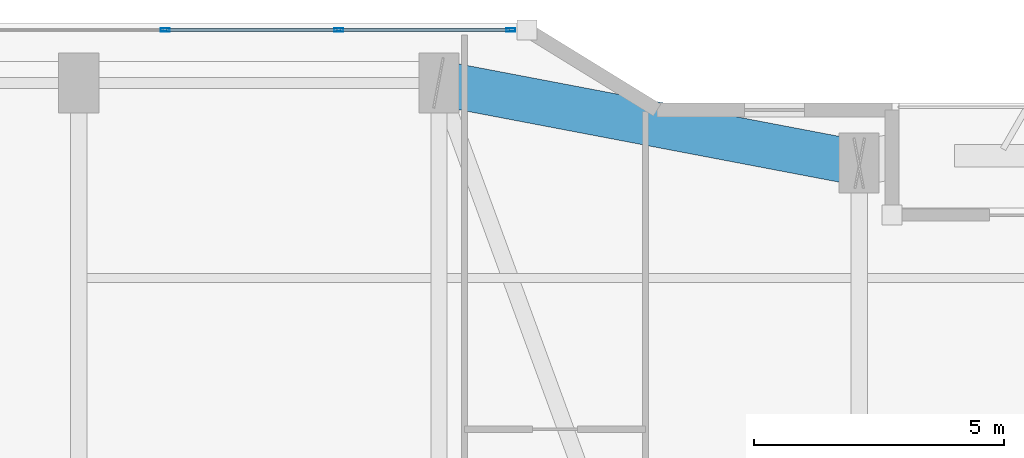
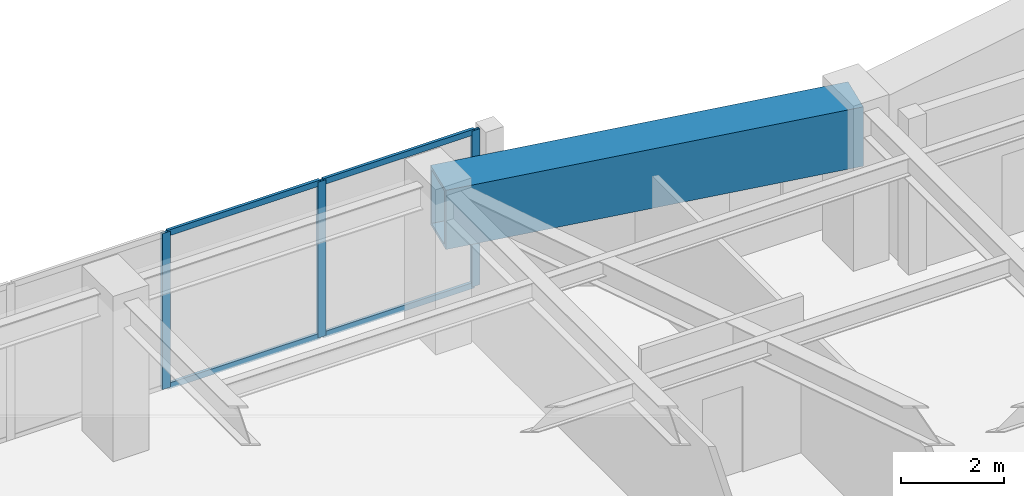
# One storey, part 19 of 30: 7 members, 1 beam, 1 element without a shape of its own.
"""IFC4 building model written with IfcOpenShell, lengths in metres."""

from ifc_helpers import new_model, si_unit, direction, frame, origin, origin_2d, place, context, subcontext, project, spatial, hollow_rectangle, extrude, material, layer, layer_set, material_profile, profile_set, type_object, element, aggregate, save


model = new_model("IFC4")

# Units and contexts
model_context = context("Model", 3, precision=1e-05, world=origin(), true_north=direction((0.0, 1.0)))
body_context = subcontext(model_context, "Body", "Model", "MODEL_VIEW")
ifc_project = project(units=[si_unit("LENGTHUNIT", "METRE"), si_unit("AREAUNIT", "SQUARE_METRE"), si_unit("VOLUMEUNIT", "CUBIC_METRE"), si_unit("PLANEANGLEUNIT", "RADIAN"), si_unit("MASSUNIT", "GRAM", prefix="KILO")], contexts=[model_context])

# Site, building, storey
site_placement = place(None, origin())
site = spatial("IfcSite", under=ifc_project, at=site_placement, CompositionType="ELEMENT")
building_placement = place(site_placement, origin())
building = spatial("IfcBuilding", under=site, at=building_placement, Name="Kiyonajd Concourse Tower", CompositionType="ELEMENT")
storey_placement = place(building_placement, frame((0.0, 0.0, 150.60009765625)))
storey = spatial("IfcBuildingStorey", under=building, at=storey_placement, Name="L38", CompositionType="ELEMENT", Elevation=150.60009765625)

# Beam
ifc_material_1 = material(Name="Steel ASTM A572 Grade 50", Category="steel")
ifc_material_profile_1 = material_profile(ifc_material_1, hollow_rectangle(XDim=0.89990234375, YDim=1.39990234375, WallThickness=0.070068359375, at=origin_2d()), Name="BOX-1400x900x70")
ifc_profile_set_1 = profile_set([ifc_material_profile_1], Name="Steel ASTM A572 Grade 50")
beam_type = type_object("IfcBeamType", Name="BM-XFER-1400", PredefinedType="BEAM", material=ifc_profile_set_1)
beam_placement = place(storey_placement, frame((48.0, 59.60009765625, 2.97998046875), z_axis=(-0.982341315253, 0.187097675953, 0.0), x_axis=(-0.187097675953, -0.982341315253, 0.0)))
element("IfcBeam", 1, at=beam_placement, inside=storey, type_object=beam_type, Name="L38 Perimeter Bundled Tube Spandrel", PredefinedType="BEAM", context=body_context, shape_type="SweptSolid", body=[
    extrude(hollow_rectangle(XDim=0.89990234375, YDim=1.39990234375, WallThickness=0.070068359375, at=origin_2d()), origin(), (0.0, 0.0, 1.0), 8.55078125),
])

# Curtain wall, members
ifc_material_2 = material(Name="Thermally Broken Anodised Aluminium", Category="aluminium")
ifc_layer = layer(ifc_material_2, 0.179931640625)
ifc_layer_set = layer_set([ifc_layer], Name="Thermally Broken Anodised Aluminium")
curtain_wall_type = type_object("IfcCurtainWallType", Name="CW-SYS-03", PredefinedType="NOTDEFINED", material=ifc_layer_set)
curtain_wall_placement = place(storey_placement, origin())
curtain_wall = element("IfcCurtainWall", 2, at=curtain_wall_placement, inside=storey, type_object=curtain_wall_type, Name="L38 Unitised Curtain Wall CW3", PredefinedType="NOTDEFINED")
ifc_material_profile_2 = material_profile(ifc_material_2, hollow_rectangle(XDim=0.06494140625, YDim=0.179931640625, WallThickness=0.00390625, at=origin_2d()), Name="MULL-65x180")
ifc_profile_set_2 = profile_set([ifc_material_profile_2], Name="Thermally Broken Anodised Aluminium")
member_type_1 = type_object("IfcMemberType", Name="MB-CW-MULL1", PredefinedType="MULLION", material=ifc_profile_set_2)
member_1_placement = place(storey_placement, frame((34.12548828125, 62.260009765625, 0.0), z_axis=(0.0, 0.0, 1.0), x_axis=(0.0, 1.0, 0.0)))
member_1 = element("IfcMember", 3, at=member_1_placement, type_object=member_type_1, Name="CW3 mullion 4", PredefinedType="MULLION", context=body_context, shape_type="SweptSolid", body=[
    extrude(hollow_rectangle(XDim=0.06494140625, YDim=0.179931640625, WallThickness=0.00390625, at=origin_2d()), origin(), (0.0, 0.0, 1.0), 3.679931640625),
])
member_2_placement = place(storey_placement, frame((37.597900390625, 62.260009765625, 0.0), z_axis=(0.0, 0.0, 1.0), x_axis=(0.0, 1.0, 0.0)))
member_2 = element("IfcMember", 4, at=member_2_placement, type_object=member_type_1, Name="CW3 mullion 5", PredefinedType="MULLION", context=body_context, shape_type="SweptSolid", body=[
    extrude(hollow_rectangle(XDim=0.06494140625, YDim=0.179931640625, WallThickness=0.00390625, at=origin_2d()), origin(), (0.0, 0.0, 1.0), 3.679931640625),
])
member_3_placement = place(storey_placement, frame((41.037841796875, 62.260009765625, 0.0), z_axis=(0.0, 0.0, 1.0), x_axis=(0.0, 1.0, 0.0)))
member_3 = element("IfcMember", 5, at=member_3_placement, type_object=member_type_1, Name="CW3 mullion 6", PredefinedType="MULLION", context=body_context, shape_type="SweptSolid", body=[
    extrude(hollow_rectangle(XDim=0.06494140625, YDim=0.179931640625, WallThickness=0.00390625, at=origin_2d()), origin(), (0.0, 0.0, 1.0), 3.679931640625),
])
ifc_material_profile_3 = material_profile(ifc_material_2, hollow_rectangle(XDim=0.06494140625, YDim=0.139892578125, WallThickness=0.00390625, at=origin_2d()), Name="TRAN-65x140")
ifc_profile_set_3 = profile_set([ifc_material_profile_3], Name="Thermally Broken Anodised Aluminium")
member_type_2 = type_object("IfcMemberType", Name="MB-CW-TRAN1", PredefinedType="USERDEFINED", material=ifc_profile_set_3)
member_4_placement = place(storey_placement, frame((34.158203125, 62.260009765625, 0.032470703125), z_axis=(1.0, 0.0, 0.0), x_axis=(0.0, 1.0, 0.0)))
member_4 = element("IfcMember", 6, at=member_4_placement, type_object=member_type_2, Name="CW3 transom 4.1", ObjectType="TRANSOM", PredefinedType="USERDEFINED", context=body_context, shape_type="SweptSolid", body=[
    extrude(hollow_rectangle(XDim=0.06494140625, YDim=0.139892578125, WallThickness=0.00390625, at=origin_2d()), origin(), (0.0, 0.0, 1.0), 3.4072265625),
])
member_5_placement = place(storey_placement, frame((34.158203125, 62.260009765625, 3.6474609375), z_axis=(1.0, 0.0, 0.0), x_axis=(0.0, 1.0, 0.0)))
member_5 = element("IfcMember", 7, at=member_5_placement, type_object=member_type_2, Name="CW3 transom 4.2", ObjectType="TRANSOM", PredefinedType="USERDEFINED", context=body_context, shape_type="SweptSolid", body=[
    extrude(hollow_rectangle(XDim=0.06494140625, YDim=0.139892578125, WallThickness=0.00390625, at=origin_2d()), origin(), (0.0, 0.0, 1.0), 3.4072265625),
])
member_6_placement = place(storey_placement, frame((37.630615234375, 62.260009765625, 0.032470703125), z_axis=(1.0, 0.0, 0.0), x_axis=(0.0, 1.0, 0.0)))
member_6 = element("IfcMember", 8, at=member_6_placement, type_object=member_type_2, Name="CW3 transom 5.1", ObjectType="TRANSOM", PredefinedType="USERDEFINED", context=body_context, shape_type="SweptSolid", body=[
    extrude(hollow_rectangle(XDim=0.06494140625, YDim=0.139892578125, WallThickness=0.00390625, at=origin_2d()), origin(), (0.0, 0.0, 1.0), 3.374755859375),
])
member_7_placement = place(storey_placement, frame((37.630615234375, 62.260009765625, 3.6474609375), z_axis=(1.0, 0.0, 0.0), x_axis=(0.0, 1.0, 0.0)))
member_7 = element("IfcMember", 9, at=member_7_placement, type_object=member_type_2, Name="CW3 transom 5.2", ObjectType="TRANSOM", PredefinedType="USERDEFINED", context=body_context, shape_type="SweptSolid", body=[
    extrude(hollow_rectangle(XDim=0.06494140625, YDim=0.139892578125, WallThickness=0.00390625, at=origin_2d()), origin(), (0.0, 0.0, 1.0), 3.374755859375),
])
aggregate(curtain_wall, [member_1, member_2, member_3, member_4, member_5, member_6, member_7])

save(model, "model.ifc")
